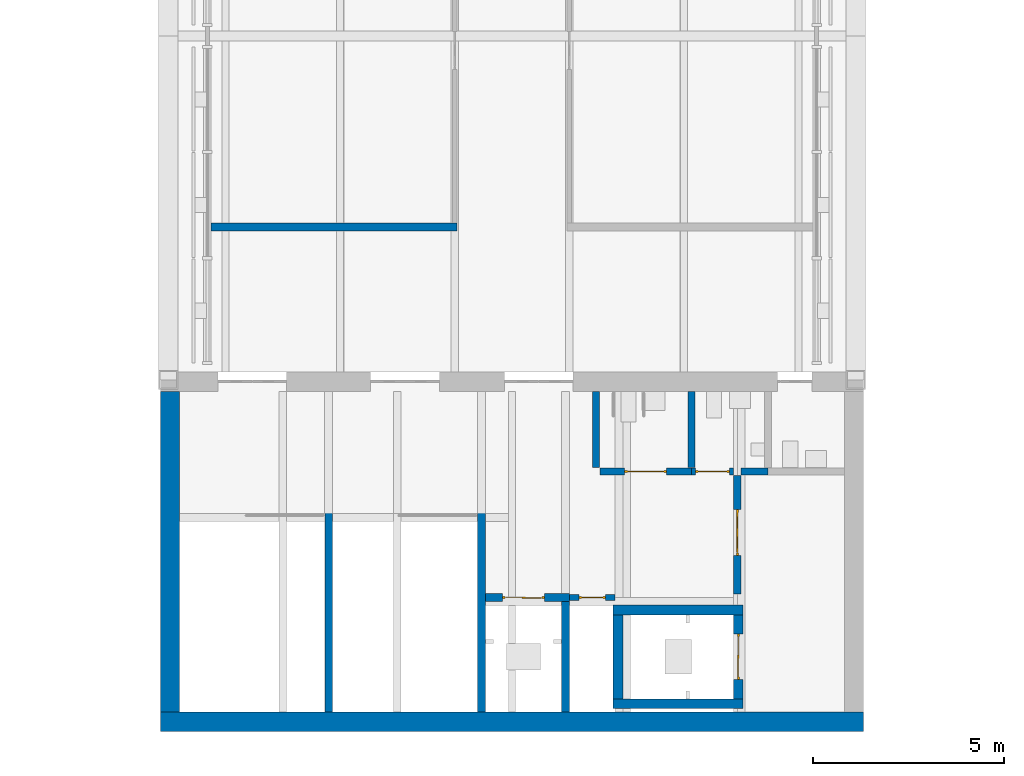
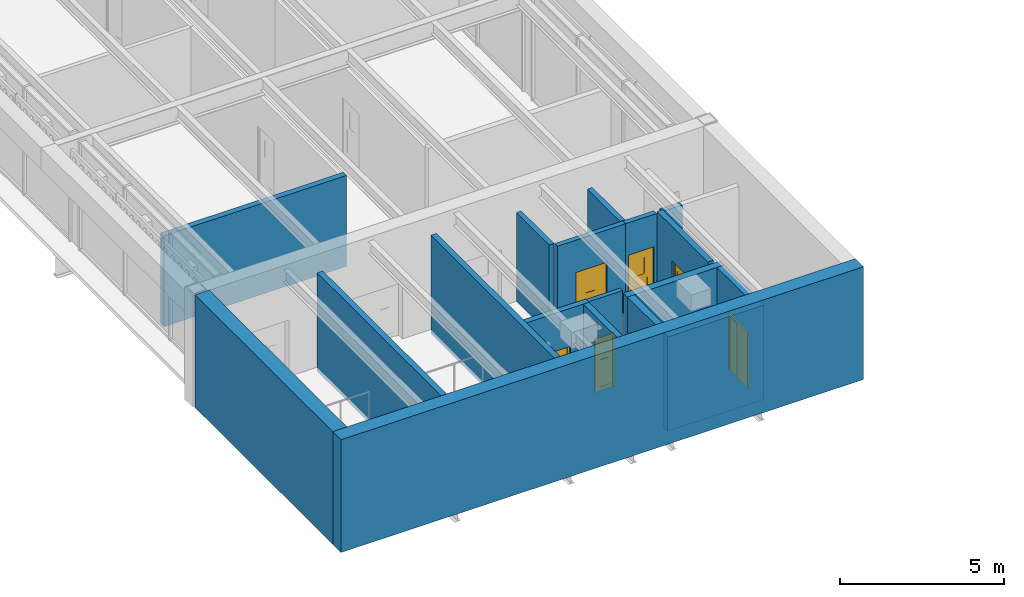
# One storey, part 19 of 43: 18 walls, 6 doors, 6 openings.
"""IFC4 building model written with IfcOpenShell, lengths in metres."""

from ifc_helpers import new_model, si_unit, direction, frame, frame_2d, origin, place, context, subcontext, project, spatial, polyline, rectangle, outline, extrude, material, layer, layer_set, type_object, element, fill, save


model = new_model("IFC4")

# Units and contexts
model_context = context("Model", 3, precision=1e-05, world=origin(), true_north=direction((0.0, 1.0)))
body_context = subcontext(model_context, "Body", "Model", "MODEL_VIEW")
ifc_project = project(units=[si_unit("LENGTHUNIT", "METRE"), si_unit("AREAUNIT", "SQUARE_METRE"), si_unit("VOLUMEUNIT", "CUBIC_METRE"), si_unit("PLANEANGLEUNIT", "RADIAN"), si_unit("MASSUNIT", "GRAM", prefix="KILO")], contexts=[model_context])

# Site, building, storey
site_placement = place(None, origin())
site = spatial("IfcSite", under=ifc_project, at=site_placement, CompositionType="ELEMENT")
building_placement = place(site_placement, origin())
building = spatial("IfcBuilding", under=site, at=building_placement, Name="Baradari Gate Terminus", CompositionType="ELEMENT")
storey_placement = place(building_placement, frame((0.0, 0.0, 20.10009765625)))
storey = spatial("IfcBuildingStorey", under=building, at=storey_placement, Name="L04", CompositionType="ELEMENT", Elevation=20.10009765625)

# Walls
ifc_material_1 = material(Name="Concrete C40/50", Category="concrete")
ifc_layer_1 = layer(ifc_material_1, 0.5)
ifc_layer_set_1 = layer_set([ifc_layer_1], Name="Concrete C40/50")
wall_type_1 = type_object("IfcWallType", Name="Abutment core wall CWL05 500", PredefinedType="SOLIDWALL", material=ifc_layer_set_1)
wall_1_placement = place(storey_placement, frame((71.800048828125, 27.050048828125, 0.0), z_axis=(0.0, 0.0, 1.0), x_axis=(1.0, 0.0, 0.0)))
element("IfcWall", 1, at=wall_1_placement, inside=storey, type_object=wall_type_1, Name="Abutment core wall GS S L04", PredefinedType="SOLIDWALL", context=body_context, shape_type="SweptSolid", body=[
    extrude(rectangle(XDim=18.39990234375, YDim=0.5, at=frame_2d((9.199951171875, 0.0))), origin(), (0.0, 0.0, 1.0), 4.199951171875),
])
wall_2_placement = place(storey_placement, frame((72.050048828125, 27.300048828125, 0.0), z_axis=(0.0, 0.0, 1.0), x_axis=(0.0, 1.0, 0.0)))
element("IfcWall", 2, at=wall_2_placement, inside=storey, type_object=wall_type_1, Name="Abutment core wall GS W L04", PredefinedType="SOLIDWALL", context=body_context, shape_type="SweptSolid", body=[
    extrude(rectangle(XDim=8.39990234375, YDim=0.5, at=frame_2d((4.199951171875, 0.0))), origin(), (0.0, 0.0, 1.0), 4.199951171875),
])
ifc_material_2 = material(Name="Concrete C32/40", Category="concrete")
ifc_layer_2 = layer(ifc_material_2, 0.25)
ifc_layer_set_2 = layer_set([ifc_layer_2], Name="Concrete C32/40")
wall_type_2 = type_object("IfcWallType", Name="Firefighting lift shaft wall SH-2 250 EI 120", PredefinedType="SOLIDWALL", material=ifc_layer_set_2)
for number, where, z_axis, x_axis, name in (
    (3, (83.64990234375, 27.52490234375, 0.0), (0.0, 0.0, 1.0), (1.0, 0.0, 0.0), "Lift shaft wall LGS2 L04 S"),
    (4, (83.64990234375, 29.97509765625, 0.0), (0.0, 0.0, 1.0), (1.0, 0.0, 0.0), "Lift shaft wall LGS2 L04 N"),
):
    element("IfcWall", number, at=place(storey_placement, frame(where, z_axis=z_axis, x_axis=x_axis)), inside=storey, type_object=wall_type_2, Name=name, PredefinedType="SOLIDWALL", context=body_context, shape_type="SweptSolid", body=[
        extrude(rectangle(XDim=3.400146484375, YDim=0.25, at=frame_2d((1.7001953125, 0.0))), origin(), (0.0, 0.0, 1.0), 3.515869140625),
    ])
wall_3_placement = place(storey_placement, frame((83.77490234375, 27.64990234375, 0.0), z_axis=(0.0, 0.0, 1.0), x_axis=(0.0, 1.0, 0.0)))
element("IfcWall", 5, at=wall_3_placement, inside=storey, type_object=wall_type_2, Name="Lift shaft wall LGS2 L04 W", PredefinedType="SOLIDWALL", context=body_context, shape_type="SweptSolid", body=[
    extrude(rectangle(XDim=2.2001953125, YDim=0.25, at=frame_2d((1.10009765625, 0.0))), origin(), (0.0, 0.0, 1.0), 3.515869140625),
])

# Wall, opening, door
wall_4_placement = place(storey_placement, frame((86.925048828125, 27.64990234375, 0.0), z_axis=(0.0, 0.0, 1.0), x_axis=(0.0, 1.0, 0.0)))
wall_4 = element("IfcWall", 6, at=wall_4_placement, inside=storey, type_object=wall_type_2, Name="Lift shaft wall LGS2 L04 E", PredefinedType="SOLIDWALL", context=body_context, shape_type="SweptSolid", body=[
    extrude(rectangle(XDim=2.2001953125, YDim=0.25, at=frame_2d((1.10009765625, 0.0))), origin(), (0.0, 0.0, 1.0), 3.515869140625),
])
opening_1_placement = place(wall_4_placement, frame((0.5, 0.0, 0.0)))
opening_1 = element("IfcOpeningElement", 7, at=opening_1_placement, cuts=wall_4, Name="Opening D04-004", PredefinedType="OPENING", context=body_context, shape_type="SweptSolid", body=[
    extrude(rectangle(XDim=1.199951171875, YDim=2.10009765625, at=frame_2d((0.60009765625, 1.050048828125))), frame((0.0, 0.135009765625, 0.0), z_axis=(0.0, -1.0, 0.0), x_axis=(1.0, 0.0, 0.0)), (0.0, 0.0, 1.0), 0.27001953125),
])
ifc_material_3 = material(Name="Stainless steel 1.4301", Category="steel")
door_type_1 = type_object("IfcDoorType", Name="Lift landing door LD2 1200x2100 E 120", OperationType="SLIDING_TO_LEFT", PredefinedType="DOOR", material=ifc_material_3)
door_1_placement = place(opening_1_placement, origin())
door_1 = element("IfcDoor", 8, at=door_1_placement, inside=storey, type_object=door_type_1, Name="Lift landing door LGS2 L04", OperationType="SLIDING_TO_LEFT", OverallHeight=2.1, OverallWidth=1.2, PredefinedType="DOOR", context=body_context, shape_type="SweptSolid", body=[
    extrude(outline(polyline([(0.0, 0.0), (0.070068359375, 0.0), (0.070068359375, 2.030029296875), (1.1298828125, 2.030029296875), (1.1298828125, 0.0), (1.199951171875, 0.0), (1.199951171875, 2.10009765625), (0.0, 2.10009765625), (0.0, 0.0)])), frame((0.0, 0.02490234375, 0.0), z_axis=(0.0, -1.0, 0.0), x_axis=(1.0, 0.0, 0.0)), (0.0, 0.0, 1.0), 0.050048828125),
    extrude(rectangle(XDim=0.57861328125, YDim=2.01611328125, at=frame_2d((0.36328125, 1.01806640625))), frame((0.0, 0.017822265625, 0.0), z_axis=(0.0, -1.0, 0.0), x_axis=(1.0, 0.0, 0.0)), (0.0, 0.0, 1.0), 0.015869140625),
    extrude(rectangle(XDim=0.57470703125, YDim=2.01611328125, at=frame_2d((0.838623046875, 1.01806640625))), frame((0.0, -0.002197265625, 0.0), z_axis=(0.0, -1.0, 0.0), x_axis=(1.0, 0.0, 0.0)), (0.0, 0.0, 1.0), 0.015869140625),
])
fill(opening_1, door_1)

ifc_material_4 = material(Name="Blockwork wall, fire rated", Category="masonry")
ifc_layer_3 = layer(ifc_material_4, 0.199951171875)
ifc_layer_set_3 = layer_set([ifc_layer_3], Name="Blockwork wall, fire rated")
wall_type_3 = type_object("IfcWallType", Name="Lift shaft wall SH-1 200 EI 120", PredefinedType="SOLIDWALL", material=ifc_layer_set_3)
wall_5_placement = place(storey_placement, frame((80.302001953125, 30.300048828125, 0.0), z_axis=(0.0, 0.0, 1.0), x_axis=(1.0, 0.0, 0.0)))
wall_5 = element("IfcWall", 9, at=wall_5_placement, inside=storey, type_object=wall_type_3, Name="Lift shaft wall LGS1 L04 N", PredefinedType="SOLIDWALL", context=body_context, shape_type="SweptSolid", body=[
    extrude(rectangle(XDim=2.197998046875, YDim=0.199951171875, at=frame_2d((1.09912109375, 0.0))), origin(), (0.0, 0.0, 1.0), 3.515869140625),
])
opening_2_placement = place(wall_5_placement, frame((0.447998046875, 0.0, 0.0)))
opening_2 = element("IfcOpeningElement", 10, at=opening_2_placement, cuts=wall_5, Name="Opening D04-003", PredefinedType="OPENING", context=body_context, shape_type="SweptSolid", body=[
    extrude(rectangle(XDim=1.10009765625, YDim=2.10009765625, at=frame_2d((0.550048828125, 1.050048828125))), frame((0.0, 0.10986328125, 0.0), z_axis=(0.0, -1.0, 0.0), x_axis=(1.0, 0.0, 0.0)), (0.0, 0.0, 1.0), 0.219970703125),
])
ifc_material_5 = material(Name="Stainless steel 1.4301", Category="steel")
door_type_2 = type_object("IfcDoorType", Name="Lift landing door LD 1100x2100 E 120", OperationType="SLIDING_TO_LEFT", PredefinedType="DOOR", material=ifc_material_5)
door_2_placement = place(opening_2_placement, origin())
door_2 = element("IfcDoor", 11, at=door_2_placement, inside=storey, type_object=door_type_2, Name="Lift landing door LGS1 L04", OperationType="SLIDING_TO_LEFT", OverallHeight=2.1, OverallWidth=1.1, PredefinedType="DOOR", context=body_context, shape_type="SweptSolid", body=[
    extrude(outline(polyline([(0.0, 0.0), (0.070068359375, 0.0), (0.070068359375, 2.030029296875), (1.030029296875, 2.030029296875), (1.030029296875, 0.0), (1.10009765625, 0.0), (1.10009765625, 2.10009765625), (0.0, 2.10009765625), (0.0, 0.0)])), frame((0.0, 0.02490234375, 0.0), z_axis=(0.0, -1.0, 0.0), x_axis=(1.0, 0.0, 0.0)), (0.0, 0.0, 1.0), 0.050048828125),
    extrude(rectangle(XDim=0.523681640625, YDim=2.01611328125, at=frame_2d((0.3359375, 1.01806640625))), frame((0.0, 0.017822265625, 0.0), z_axis=(0.0, -1.0, 0.0), x_axis=(1.0, 0.0, 0.0)), (0.0, 0.0, 1.0), 0.015869140625),
    extrude(rectangle(XDim=0.519775390625, YDim=2.01611328125, at=frame_2d((0.76611328125, 1.01806640625))), frame((0.0, -0.002197265625, 0.0), z_axis=(0.0, -1.0, 0.0), x_axis=(1.0, 0.0, 0.0)), (0.0, 0.0, 1.0), 0.015869140625),
])
fill(opening_2, door_2)

# Wall
wall_6_placement = place(storey_placement, frame((82.39990234375, 27.302001953125, 0.0), z_axis=(0.0, 0.0, 1.0), x_axis=(0.0, 1.0, 0.0)))
element("IfcWall", 12, at=wall_6_placement, inside=storey, type_object=wall_type_3, Name="Lift shaft wall LGS1 L04 E", PredefinedType="SOLIDWALL", context=body_context, shape_type="SweptSolid", body=[
    extrude(rectangle(XDim=2.89794921875, YDim=0.199951171875, at=frame_2d((1.448974609375, 0.0))), origin(), (0.0, 0.0, 1.0), 3.515869140625),
])

# Wall, opening, door
ifc_material_6 = material(Name="Blockwork wall, plastered, fire rated", Category="masonry")
ifc_layer_4 = layer(ifc_material_6, 0.199951171875)
ifc_layer_set_4 = layer_set([ifc_layer_4], Name="Blockwork wall, plastered, fire rated")
wall_type_4 = type_object("IfcWallType", Name="Lobby partition PT-4 200 EI 60", PredefinedType="PARTITIONING", material=ifc_layer_set_4)
wall_7_placement = place(storey_placement, frame((86.89990234375, 33.5, 0.0), z_axis=(0.0, 0.0, 1.0), x_axis=(0.0, -1.0, 0.0)))
wall_7 = element("IfcWall", 13, at=wall_7_placement, inside=storey, type_object=wall_type_4, Name="PT-4 partition Lift Lobby / Lift Lobby (Fire-fighting)", PredefinedType="PARTITIONING", context=body_context, shape_type="SweptSolid", body=[
    extrude(rectangle(XDim=3.10009765625, YDim=0.199951171875, at=frame_2d((1.550048828125, 0.0))), origin(), (0.0, 0.0, 1.0), 3.3818359375),
])
opening_3_placement = place(wall_7_placement, frame((0.89990234375, 0.0, 0.0)))
opening_3 = element("IfcOpeningElement", 14, at=opening_3_placement, cuts=wall_7, Name="Opening D04-042", PredefinedType="OPENING", context=body_context, shape_type="SweptSolid", body=[
    extrude(rectangle(XDim=1.199951171875, YDim=2.10009765625, at=frame_2d((0.60009765625, 1.050048828125))), frame((0.0, 0.10986328125, 0.0), z_axis=(0.0, -1.0, 0.0), x_axis=(1.0, 0.0, 0.0)), (0.0, 0.0, 1.0), 0.219970703125),
])
ifc_material_7 = material(Name="Steel S275", Category="steel")
door_type_3 = type_object("IfcDoorType", Name="Fire door FI-1200-FD60S 1200x2100 FD60S", OperationType="DOUBLE_DOOR_SINGLE_SWING", PredefinedType="DOOR", material=ifc_material_7)
door_3_placement = place(opening_3_placement, origin())
door_3 = element("IfcDoor", 15, at=door_3_placement, inside=storey, type_object=door_type_3, Name="Door Lift Lobby (Fire-fighting)", OperationType="DOUBLE_DOOR_SINGLE_SWING", OverallHeight=2.1, OverallWidth=1.2, PredefinedType="DOOR", context=body_context, shape_type="SweptSolid", body=[
    extrude(outline(polyline([(0.0, 0.0), (0.070068359375, 0.0), (0.070068359375, 2.030029296875), (1.1298828125, 2.030029296875), (1.1298828125, 0.0), (1.199951171875, 0.0), (1.199951171875, 2.10009765625), (0.0, 2.10009765625), (0.0, 0.0)])), frame((0.0, 0.02490234375, 0.0), z_axis=(0.0, -1.0, 0.0), x_axis=(1.0, 0.0, 0.0)), (0.0, 0.0, 1.0), 0.050048828125),
    extrude(outline(polyline([(0.073974609375, 0.010009765625), (0.596923828125, 0.010009765625), (0.596923828125, 2.026123046875), (0.073974609375, 2.026123046875), (0.073974609375, 0.010009765625)]), holes=[polyline([(0.178466796875, 0.372802734375), (0.492431640625, 0.372802734375), (0.492431640625, 1.7841796875), (0.178466796875, 1.7841796875), (0.178466796875, 0.372802734375)])]), frame((0.0, 0.017333984375, 0.0), z_axis=(0.0, -1.0, 0.0), x_axis=(1.0, 0.0, 0.0)), (0.0, 0.0, 1.0), 0.034912109375),
    extrude(rectangle(XDim=0.31396484375, YDim=1.411376953125, at=frame_2d((0.33544921875, 1.07861328125))), frame((0.0, 0.008544921875, 0.0), z_axis=(0.0, -1.0, 0.0), x_axis=(1.0, 0.0, 0.0)), (0.0, 0.0, 1.0), 0.017333984375),
    extrude(outline(polyline([(0.60302734375, 0.010009765625), (1.1259765625, 0.010009765625), (1.1259765625, 2.026123046875), (0.60302734375, 2.026123046875), (0.60302734375, 0.010009765625)]), holes=[polyline([(0.70751953125, 0.372802734375), (1.021484375, 0.372802734375), (1.021484375, 1.7841796875), (0.70751953125, 1.7841796875), (0.70751953125, 0.372802734375)])]), frame((0.0, 0.017333984375, 0.0), z_axis=(0.0, -1.0, 0.0), x_axis=(1.0, 0.0, 0.0)), (0.0, 0.0, 1.0), 0.034912109375),
    extrude(rectangle(XDim=0.31396484375, YDim=1.411376953125, at=frame_2d((0.864501953125, 1.07861328125))), frame((0.0, 0.008544921875, 0.0), z_axis=(0.0, -1.0, 0.0), x_axis=(1.0, 0.0, 0.0)), (0.0, 0.0, 1.0), 0.017333984375),
])
fill(opening_3, door_3)

# Wall
wall_8_placement = place(storey_placement, frame((73.125, 40.0, 0.0), z_axis=(0.0, 0.0, 1.0), x_axis=(1.0, 0.0, 0.0)))
element("IfcWall", 16, at=wall_8_placement, inside=storey, type_object=wall_type_4, Name="PT-4 partition Lobby (Gate South) / Gate Office 4.01", PredefinedType="PARTITIONING", context=body_context, shape_type="SweptSolid", body=[
    extrude(rectangle(XDim=6.4375, YDim=0.199951171875, at=frame_2d((3.21875, 0.0))), origin(), (0.0, 0.0, 1.0), 3.3818359375),
])

# Wall, opening, door
ifc_material_8 = material(Name="Blockwork wall, fire rated", Category="masonry")
ifc_layer_5 = layer(ifc_material_8, 0.14990234375)
ifc_layer_set_5 = layer_set([ifc_layer_5], Name="Blockwork wall, fire rated")
wall_type_5 = type_object("IfcWallType", Name="Riser wall RW-1 150 EI 120", PredefinedType="SOLIDWALL", material=ifc_layer_set_5)
wall_9_placement = place(storey_placement, frame((83.699951171875, 30.300048828125, 0.0), z_axis=(0.0, 0.0, 1.0), x_axis=(-1.0, 0.0, 0.0)))
wall_9 = element("IfcWall", 17, at=wall_9_placement, inside=storey, type_object=wall_type_5, Name="RW-1 partition Lift Lobby / Riser", PredefinedType="SOLIDWALL", context=body_context, shape_type="SweptSolid", body=[
    extrude(rectangle(XDim=1.197998046875, YDim=0.14990234375, at=frame_2d((0.59912109375, 0.0))), origin(), (0.0, 0.0, 1.0), 3.515869140625),
])
opening_4_placement = place(wall_9_placement, frame((0.25, 0.0, 0.0)))
opening_4 = element("IfcOpeningElement", 18, at=opening_4_placement, cuts=wall_9, Name="Opening D04-043", PredefinedType="OPENING", context=body_context, shape_type="SweptSolid", body=[
    extrude(rectangle(XDim=0.699951171875, YDim=2.0, at=frame_2d((0.35009765625, 1.0))), frame((0.0, 0.0849609375, 0.0), z_axis=(0.0, -1.0, 0.0), x_axis=(1.0, 0.0, 0.0)), (0.0, 0.0, 1.0), 0.169921875),
])
ifc_material_9 = material(Name="Steel S275", Category="steel")
door_type_4 = type_object("IfcDoorType", Name="Fire door FI-700x2000-FD90S 700x2000 FD90S", OperationType="SINGLE_SWING_LEFT", PredefinedType="DOOR", material=ifc_material_9)
door_4_placement = place(opening_4_placement, origin())
door_4 = element("IfcDoor", 19, at=door_4_placement, inside=storey, type_object=door_type_4, Name="Door Riser", OperationType="SINGLE_SWING_RIGHT", OverallHeight=2.0, OverallWidth=0.7, PredefinedType="DOOR", context=body_context, shape_type="SweptSolid", body=[
    extrude(outline(polyline([(0.0, 0.0), (0.070068359375, 0.0), (0.070068359375, 1.929931640625), (0.6298828125, 1.929931640625), (0.6298828125, 0.0), (0.699951171875, 0.0), (0.699951171875, 2.0), (0.0, 2.0), (0.0, 0.0)])), frame((0.0, 0.02490234375, 0.0), z_axis=(0.0, -1.0, 0.0), x_axis=(1.0, 0.0, 0.0)), (0.0, 0.0, 1.0), 0.050048828125),
    extrude(outline(polyline([(0.073974609375, 0.010009765625), (0.6259765625, 0.010009765625), (0.6259765625, 1.926025390625), (0.073974609375, 1.926025390625), (0.073974609375, 0.010009765625)]), holes=[polyline([(0.184326171875, 0.159912109375), (0.515625, 0.159912109375), (0.515625, 1.010009765625), (0.184326171875, 1.010009765625), (0.184326171875, 0.159912109375)]), polyline([(0.199951171875, 1.159912109375), (0.5, 1.159912109375), (0.5, 1.760009765625), (0.199951171875, 1.760009765625), (0.199951171875, 1.159912109375)])]), frame((0.0, 0.017333984375, 0.0), z_axis=(0.0, -1.0, 0.0), x_axis=(1.0, 0.0, 0.0)), (0.0, 0.0, 1.0), 0.034912109375),
    extrude(rectangle(XDim=0.331298828125, YDim=0.85009765625, at=frame_2d((0.35009765625, 0.5849609375))), frame((0.0, 0.008544921875, 0.0), z_axis=(0.0, -1.0, 0.0), x_axis=(1.0, 0.0, 0.0)), (0.0, 0.0, 1.0), 0.017333984375),
    extrude(rectangle(XDim=0.300048828125, YDim=0.60009765625, at=frame_2d((0.35009765625, 1.4599609375))), frame((0.0, 0.005859375, 0.0), z_axis=(0.0, -1.0, 0.0), x_axis=(1.0, 0.0, 0.0)), (0.0, 0.0, 1.0), 0.011962890625),
])
fill(opening_4, door_4)

# Walls
ifc_material_10 = material(Name="Concrete C40/50", Category="concrete")
ifc_layer_6 = layer(ifc_material_10, 0.199951171875)
ifc_layer_set_6 = layer_set([ifc_layer_6], Name="Concrete C40/50")
wall_type_6 = type_object("IfcWallType", Name="Stair enclosure wall SE-4 200 EI 120", PredefinedType="SOLIDWALL", material=ifc_layer_set_6)
for number, where, z_axis, x_axis, name in (
    (20, (76.199951171875, 27.302001953125, -0.150146484375), (0.0, 0.0, 1.0), (0.0, 1.0, 0.0), "Stair enclosure wall SE-4 ST-GS1 L04 E"),
    (21, (80.199951171875, 27.302001953125, -0.150146484375), (0.0, 0.0, 1.0), (0.0, 1.0, 0.0), "Stair enclosure wall SE-4 ST-GS2 L04 E"),
):
    element("IfcWall", number, at=place(storey_placement, frame(where, z_axis=z_axis, x_axis=x_axis)), inside=storey, type_object=wall_type_6, Name=name, PredefinedType="SOLIDWALL", context=body_context, shape_type="SweptSolid", body=[
        extrude(rectangle(XDim=8.39599609375, YDim=0.199951171875, at=frame_2d((4.197998046875, 0.0))), origin(), (0.0, 0.0, 1.0), 3.666015625),
    ])
ifc_material_11 = material(Name="Blockwork wall, tiled both faces", Category="masonry")
ifc_layer_7 = layer(ifc_material_11, 0.175048828125)
ifc_layer_set_7 = layer_set([ifc_layer_7], Name="Blockwork wall, tiled both faces")
wall_type_7 = type_object("IfcWallType", Name="WC wet wall PT-6 175 EI 60", PredefinedType="PARTITIONING", material=ifc_layer_set_7)
wall_10_placement = place(storey_placement, frame((83.199951171875, 35.697998046875, 0.0), z_axis=(0.0, 0.0, 1.0), x_axis=(0.0, -1.0, 0.0)))
element("IfcWall", 22, at=wall_10_placement, inside=storey, type_object=wall_type_7, Name="PT-6 partition Lift Lobby / Accessible WC", PredefinedType="PARTITIONING", context=body_context, shape_type="SweptSolid", body=[
    extrude(rectangle(XDim=1.998046875, YDim=0.175048828125, at=frame_2d((0.9990234375, 0.0))), origin(), (0.0, 0.0, 1.0), 3.306884765625),
])

# Wall, opening, door
wall_11_placement = place(storey_placement, frame((83.300048828125, 33.60009765625, 0.0), z_axis=(0.0, 0.0, 1.0), x_axis=(1.0, 0.0, 0.0)))
wall_11 = element("IfcWall", 23, at=wall_11_placement, inside=storey, type_object=wall_type_7, Name="PT-6 partition Lift Lobby / Accessible WC", PredefinedType="PARTITIONING", context=body_context, shape_type="SweptSolid", body=[
    extrude(rectangle(XDim=2.39990234375, YDim=0.175048828125, at=frame_2d((1.199951171875, 0.0))), origin(), (0.0, 0.0, 1.0), 3.306884765625),
])
opening_5_placement = place(wall_11_placement, frame((0.64990234375, 0.0, 0.0)))
opening_5 = element("IfcOpeningElement", 24, at=opening_5_placement, cuts=wall_11, Name="Opening D04-044", PredefinedType="OPENING", context=body_context, shape_type="SweptSolid", body=[
    extrude(rectangle(XDim=1.10009765625, YDim=2.10009765625, at=frame_2d((0.550048828125, 1.050048828125))), frame((0.0, 0.097412109375, 0.0), z_axis=(0.0, -1.0, 0.0), x_axis=(1.0, 0.0, 0.0)), (0.0, 0.0, 1.0), 0.195068359375),
])
ifc_material_12 = material(Name="Steel S275", Category="steel")
door_type_5 = type_object("IfcDoorType", Name="Fire door FI-1100-FD60S 1100x2100 FD60S", OperationType="SINGLE_SWING_LEFT", PredefinedType="DOOR", material=ifc_material_12)
door_5_placement = place(opening_5_placement, origin())
door_5 = element("IfcDoor", 25, at=door_5_placement, inside=storey, type_object=door_type_5, Name="Door Accessible WC", OperationType="SINGLE_SWING_LEFT", OverallHeight=2.1, OverallWidth=1.1, PredefinedType="DOOR", context=body_context, shape_type="SweptSolid", body=[
    extrude(outline(polyline([(0.0, 0.0), (0.070068359375, 0.0), (0.070068359375, 2.030029296875), (1.030029296875, 2.030029296875), (1.030029296875, 0.0), (1.10009765625, 0.0), (1.10009765625, 2.10009765625), (0.0, 2.10009765625), (0.0, 0.0)])), frame((0.0, 0.02490234375, 0.0), z_axis=(0.0, -1.0, 0.0), x_axis=(1.0, 0.0, 0.0)), (0.0, 0.0, 1.0), 0.050048828125),
    extrude(outline(polyline([(0.073974609375, 0.010009765625), (1.026123046875, 0.010009765625), (1.026123046875, 2.026123046875), (0.073974609375, 2.026123046875), (0.073974609375, 0.010009765625)]), holes=[polyline([(0.194091796875, 0.159912109375), (0.906005859375, 0.159912109375), (0.906005859375, 1.010009765625), (0.194091796875, 1.010009765625), (0.194091796875, 0.159912109375)]), polyline([(0.400146484375, 1.159912109375), (0.699951171875, 1.159912109375), (0.699951171875, 1.760009765625), (0.400146484375, 1.760009765625), (0.400146484375, 1.159912109375)])]), frame((0.0, 0.017333984375, 0.0), z_axis=(0.0, -1.0, 0.0), x_axis=(1.0, 0.0, 0.0)), (0.0, 0.0, 1.0), 0.034912109375),
    extrude(rectangle(XDim=0.7119140625, YDim=0.85009765625, at=frame_2d((0.550048828125, 0.5849609375))), frame((0.0, 0.008544921875, 0.0), z_axis=(0.0, -1.0, 0.0), x_axis=(1.0, 0.0, 0.0)), (0.0, 0.0, 1.0), 0.017333984375),
    extrude(rectangle(XDim=0.2998046875, YDim=0.60009765625, at=frame_2d((0.550048828125, 1.4599609375))), frame((0.0, 0.005859375, 0.0), z_axis=(0.0, -1.0, 0.0), x_axis=(1.0, 0.0, 0.0)), (0.0, 0.0, 1.0), 0.011962890625),
])
fill(opening_5, door_5)

wall_12_placement = place(storey_placement, frame((85.699951171875, 33.60009765625, 0.0), z_axis=(0.0, 0.0, 1.0), x_axis=(1.0, 0.0, 0.0)))
wall_12 = element("IfcWall", 26, at=wall_12_placement, inside=storey, type_object=wall_type_7, Name="PT-6 partition Lift Lobby / Male WC", PredefinedType="PARTITIONING", context=body_context, shape_type="SweptSolid", body=[
    extrude(rectangle(XDim=1.10009765625, YDim=0.175048828125, at=frame_2d((0.550048828125, 0.0))), origin(), (0.0, 0.0, 1.0), 3.306884765625),
])
opening_6_placement = place(wall_12_placement, frame((0.10009765625, 0.0, 0.0)))
opening_6 = element("IfcOpeningElement", 27, at=opening_6_placement, cuts=wall_12, Name="Opening D04-045", PredefinedType="OPENING", context=body_context, shape_type="SweptSolid", body=[
    extrude(rectangle(XDim=0.89990234375, YDim=2.10009765625, at=frame_2d((0.449951171875, 1.050048828125))), frame((0.0, 0.097412109375, 0.0), z_axis=(0.0, -1.0, 0.0), x_axis=(1.0, 0.0, 0.0)), (0.0, 0.0, 1.0), 0.195068359375),
])
ifc_material_13 = material(Name="Steel S275", Category="steel")
door_type_6 = type_object("IfcDoorType", Name="Fire door FI-900-FD60S 900x2100 FD60S", OperationType="SINGLE_SWING_LEFT", PredefinedType="DOOR", material=ifc_material_13)
door_6_placement = place(opening_6_placement, origin())
door_6 = element("IfcDoor", 28, at=door_6_placement, inside=storey, type_object=door_type_6, Name="Door Male WC", OperationType="SINGLE_SWING_LEFT", OverallHeight=2.1, OverallWidth=0.9, PredefinedType="DOOR", context=body_context, shape_type="SweptSolid", body=[
    extrude(outline(polyline([(0.0, 0.0), (0.070068359375, 0.0), (0.070068359375, 2.030029296875), (0.829833984375, 2.030029296875), (0.829833984375, 0.0), (0.89990234375, 0.0), (0.89990234375, 2.10009765625), (0.0, 2.10009765625), (0.0, 0.0)])), frame((0.0, 0.02490234375, 0.0), z_axis=(0.0, -1.0, 0.0), x_axis=(1.0, 0.0, 0.0)), (0.0, 0.0, 1.0), 0.050048828125),
    extrude(outline(polyline([(0.073974609375, 0.010009765625), (0.825927734375, 0.010009765625), (0.825927734375, 2.026123046875), (0.073974609375, 2.026123046875), (0.073974609375, 0.010009765625)]), holes=[polyline([(0.194091796875, 0.159912109375), (0.705810546875, 0.159912109375), (0.705810546875, 1.010009765625), (0.194091796875, 1.010009765625), (0.194091796875, 0.159912109375)]), polyline([(0.300048828125, 1.159912109375), (0.599853515625, 1.159912109375), (0.599853515625, 1.760009765625), (0.300048828125, 1.760009765625), (0.300048828125, 1.159912109375)])]), frame((0.0, 0.017333984375, 0.0), z_axis=(0.0, -1.0, 0.0), x_axis=(1.0, 0.0, 0.0)), (0.0, 0.0, 1.0), 0.034912109375),
    extrude(rectangle(XDim=0.51171875, YDim=0.85009765625, at=frame_2d((0.449951171875, 0.5849609375))), frame((0.0, 0.008544921875, 0.0), z_axis=(0.0, -1.0, 0.0), x_axis=(1.0, 0.0, 0.0)), (0.0, 0.0, 1.0), 0.017333984375),
    extrude(rectangle(XDim=0.2998046875, YDim=0.60009765625, at=frame_2d((0.449951171875, 1.4599609375))), frame((0.0, 0.005859375, 0.0), z_axis=(0.0, -1.0, 0.0), x_axis=(1.0, 0.0, 0.0)), (0.0, 0.0, 1.0), 0.011962890625),
])
fill(opening_6, door_6)

# Walls
wall_13_placement = place(storey_placement, frame((87.0, 33.60009765625, 0.0), z_axis=(0.0, 0.0, 1.0), x_axis=(1.0, 0.0, 0.0)))
element("IfcWall", 29, at=wall_13_placement, inside=storey, type_object=wall_type_7, Name="PT-6 partition Lift Lobby (Fire-fighting) / Male WC", PredefinedType="PARTITIONING", context=body_context, shape_type="SweptSolid", body=[
    extrude(rectangle(XDim=0.699951171875, YDim=0.175048828125, at=frame_2d((0.35009765625, 0.0))), origin(), (0.0, 0.0, 1.0), 3.306884765625),
])
wall_14_placement = place(storey_placement, frame((85.699951171875, 35.697998046875, 0.0), z_axis=(0.0, 0.0, 1.0), x_axis=(0.0, -1.0, 0.0)))
element("IfcWall", 30, at=wall_14_placement, inside=storey, type_object=wall_type_7, Name="PT-6 partition Accessible WC / Male WC", PredefinedType="PARTITIONING", context=body_context, shape_type="SweptSolid", body=[
    extrude(rectangle(XDim=1.998046875, YDim=0.175048828125, at=frame_2d((0.9990234375, 0.0))), origin(), (0.0, 0.0, 1.0), 3.306884765625),
])

save(model, "model.ifc")
